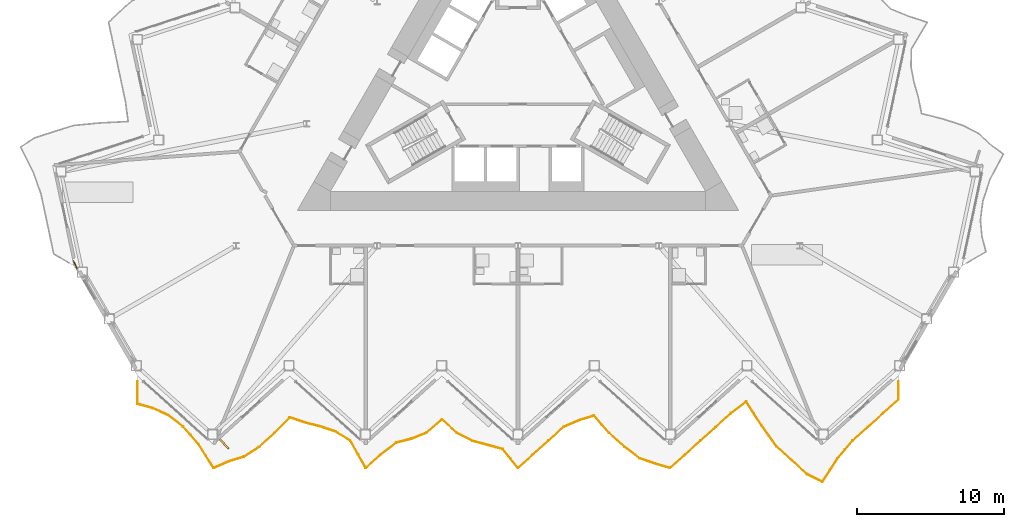
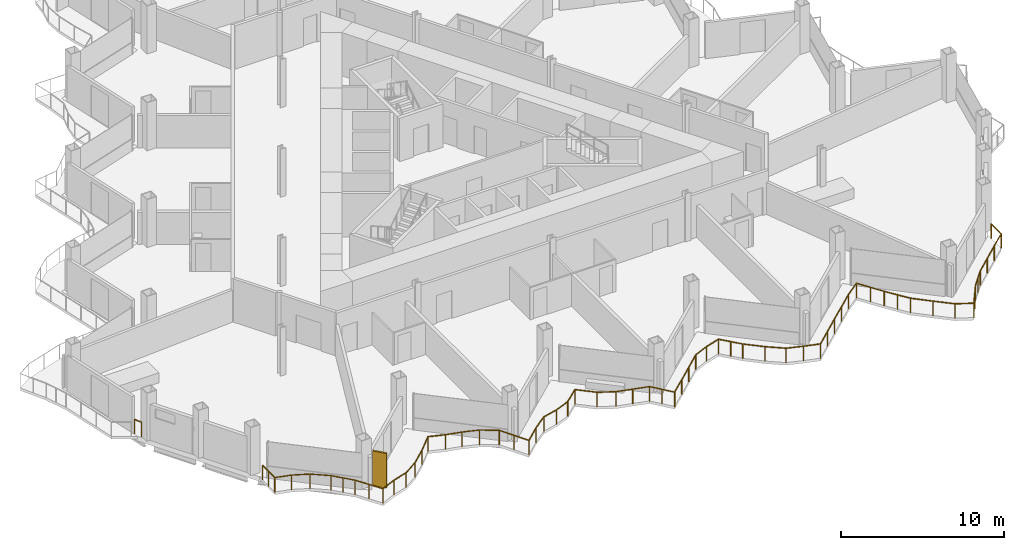
# One storey, part 19 of 24: 2 railings, 1 shading device.
"""IFC4 building model written with IfcOpenShell, lengths in metres."""

from ifc_helpers import new_model, si_unit, direction, frame, origin, origin_2d, place, context, subcontext, project, spatial, rectangle, circle, extrude, material, layer, layer_set, type_object, element, save


model = new_model("IFC4")

# Units and contexts
model_context = context("Model", 3, precision=1e-05, world=origin(), true_north=direction((0.0, 1.0)))
body_context = subcontext(model_context, "Body", "Model", "MODEL_VIEW")
ifc_project = project(units=[si_unit("LENGTHUNIT", "METRE"), si_unit("AREAUNIT", "SQUARE_METRE"), si_unit("VOLUMEUNIT", "CUBIC_METRE"), si_unit("PLANEANGLEUNIT", "RADIAN"), si_unit("MASSUNIT", "GRAM", prefix="KILO")], contexts=[model_context])

# Site, building, storey
site_placement = place(None, origin())
site = spatial("IfcSite", under=ifc_project, at=site_placement, CompositionType="ELEMENT")
building_placement = place(site_placement, origin())
building = spatial("IfcBuilding", under=site, at=building_placement, Name="Cormorant Prow Tower", CompositionType="ELEMENT")
storey_placement = place(building_placement, frame((0.0, 0.0, 238.199951171875)))
storey = spatial("IfcBuildingStorey", under=building, at=storey_placement, Name="L52", CompositionType="ELEMENT", Elevation=238.199951171875)

# Railings
ifc_material_1 = material(Name="Aluminium 6063-T6", Category="aluminium")
railing_type_1 = type_object("IfcRailingType", Name="Balcony guard 1100", PredefinedType="GUARDRAIL", material=ifc_material_1)
railing_1_placement = place(storey_placement, frame((-25.859619140625, -20.302978515625, 0.0)))
element("IfcRailing", 1, at=railing_1_placement, inside=storey, type_object=railing_type_1, Name="Balcony guard S", PredefinedType="GUARDRAIL", context=body_context, shape_type="SweptSolid", body=[
    extrude(circle(Radius=0.02392578125, at=origin_2d()), frame((0.0, 0.0, 1.076171875), z_axis=(0.0, -1.0, 0.0), x_axis=(1.0, 0.0, 0.0)), (0.0, 0.0, 1.0), 1.52001953125),
    extrude(circle(Radius=0.02392578125, at=origin_2d()), frame((0.0, -1.52001953125, 1.076171875), z_axis=(0.964910821846, -0.262577809202, 0.0), x_axis=(0.262577809202, 0.964910821846, 0.0)), (0.0, 0.0, 1.0), 1.072021484375),
    extrude(circle(Radius=0.02392578125, at=origin_2d()), frame((1.034423828125, -1.801513671875, 1.076171875), z_axis=(0.91011619922, -0.414353115009, 0.0), x_axis=(0.414353115009, 0.91011619922, 0.0)), (0.0, 0.0, 1.0), 1.136474609375),
    extrude(circle(Radius=0.02392578125, at=origin_2d()), frame((2.06884765625, -2.2724609375, 1.076171875), z_axis=(0.793096928295, -0.609095445993, 0.0), x_axis=(0.609095445993, 0.793096928295, 0.0)), (0.0, 0.0, 1.0), 1.30419921875),
    extrude(circle(Radius=0.02392578125, at=origin_2d()), frame((3.103271484375, -3.06689453125, 1.076171875), z_axis=(0.666206349445, -0.745767457026, 0.0), x_axis=(0.745767457026, 0.666206349445, 0.0)), (0.0, 0.0, 1.0), 1.552734375),
    extrude(circle(Radius=0.02392578125, at=origin_2d()), frame((4.1376953125, -4.224853515625, 1.076171875), z_axis=(0.530741873353, -0.847533517844, 0.0), x_axis=(0.847533517844, 0.530741873353, 0.0)), (0.0, 0.0, 1.0), 1.948974609375),
    extrude(circle(Radius=0.02392578125, at=origin_2d()), frame((5.172119140625, -5.876708984375, 1.076171875), z_axis=(0.913864919129, 0.406018361143, 0.0), x_axis=(-0.406018361143, 0.913864919129, 0.0)), (0.0, 0.0, 1.0), 1.131591796875),
    extrude(circle(Radius=0.02392578125, at=origin_2d()), frame((6.206298828125, -5.417236328125, 1.076171875), z_axis=(0.957208516531, 0.289399129024, 0.0), x_axis=(-0.289399129024, 0.957208516531, 0.0)), (0.0, 0.0, 1.0), 1.08056640625),
    extrude(circle(Radius=0.02392578125, at=origin_2d()), frame((7.24072265625, -5.1044921875, 1.076171875), z_axis=(0.838628974872, 0.544703077378, 0.0), x_axis=(-0.544703077378, 0.838628974872, 0.0)), (0.0, 0.0, 1.0), 1.2333984375),
    extrude(circle(Radius=0.02392578125, at=origin_2d()), frame((8.275146484375, -4.4326171875, 1.076171875), z_axis=(0.743145866469, 0.669129450219, 0.0), x_axis=(-0.669129450219, 0.743145866469, 0.0)), (0.0, 0.0, 1.0), 1.391845703125),
    extrude(circle(Radius=0.02392578125, at=origin_2d()), frame((9.3095703125, -3.501220703125, 1.076171875), z_axis=(0.69511255396, 0.718900923165, 0.0), x_axis=(-0.718900923165, 0.69511255396, 0.0)), (0.0, 0.0, 1.0), 1.488037109375),
    extrude(circle(Radius=0.02392578125, at=origin_2d()), frame((10.343994140625, -2.431396484375, 1.076171875), z_axis=(0.946129785286, -0.323787630084, 0.0), x_axis=(0.323787630084, 0.946129785286, 0.0)), (0.0, 0.0, 1.0), 1.09326171875),
    extrude(circle(Radius=0.02392578125, at=origin_2d()), frame((11.37841796875, -2.785400390625, 1.076171875), z_axis=(0.970572259799, -0.240810067292, 0.0), x_axis=(0.240810067292, 0.970572259799, 0.0)), (0.0, 0.0, 1.0), 1.0654296875),
    extrude(circle(Radius=0.02392578125, at=origin_2d()), frame((12.41259765625, -3.0419921875, 1.076171875), z_axis=(0.945650142469, -0.325185805423, 0.0), x_axis=(0.325185805423, 0.945650142469, 0.0)), (0.0, 0.0, 1.0), 1.093994140625),
    extrude(circle(Radius=0.02392578125, at=origin_2d()), frame((13.447021484375, -3.397705078125, 1.076171875), z_axis=(0.856706929106, -0.515803487408, 0.0), x_axis=(0.515803487408, 0.856706929106, 0.0)), (0.0, 0.0, 1.0), 1.20751953125),
    extrude(circle(Radius=0.02392578125, at=origin_2d()), frame((14.4814453125, -4.0205078125, 1.076171875), z_axis=(0.486793588896, -0.873517030063, 0.0), x_axis=(0.873517030063, 0.486793588896, 0.0)), (0.0, 0.0, 1.0), 2.125),
    extrude(circle(Radius=0.02392578125, at=origin_2d()), frame((15.515869140625, -5.876708984375, 1.076171875), z_axis=(0.743145866469, 0.669129450219, 0.0), x_axis=(-0.669129450219, 0.743145866469, 0.0)), (0.0, 0.0, 1.0), 1.391845703125),
    extrude(circle(Radius=0.02392578125, at=origin_2d()), frame((16.55029296875, -4.9453125, 1.076171875), z_axis=(0.792283248818, 0.610153467287, 0.0), x_axis=(-0.610153467287, 0.792283248818, 0.0)), (0.0, 0.0, 1.0), 1.3056640625),
    extrude(circle(Radius=0.02392578125, at=origin_2d()), frame((17.584716796875, -4.148681640625, 1.076171875), z_axis=(0.969111093781, 0.246624589022, 0.0), x_axis=(-0.246624589022, 0.969111093781, 0.0)), (0.0, 0.0, 1.0), 1.067138671875),
    extrude(circle(Radius=0.02392578125, at=origin_2d()), frame((18.618896484375, -3.885498046875, 1.076171875), z_axis=(0.929667322101, 0.368400149589, 0.0), x_axis=(-0.368400149589, 0.929667322101, 0.0)), (0.0, 0.0, 1.0), 1.11279296875),
    extrude(circle(Radius=0.02392578125, at=origin_2d()), frame((19.6533203125, -3.4755859375, 1.076171875), z_axis=(0.752345655923, 0.658768558762, 0.0), x_axis=(-0.658768558762, 0.752345655923, 0.0)), (0.0, 0.0, 1.0), 1.375),
    extrude(circle(Radius=0.02392578125, at=origin_2d()), frame((20.687744140625, -2.56982421875, 1.076171875), z_axis=(0.743145866469, -0.669129450219, 0.0), x_axis=(0.669129450219, 0.743145866469, 0.0)), (0.0, 0.0, 1.0), 1.391845703125),
    extrude(circle(Radius=0.02392578125, at=origin_2d()), frame((21.72216796875, -3.501220703125, 1.076171875), z_axis=(0.891589656933, -0.452844215653, 0.0), x_axis=(0.452844215653, 0.891589656933, 0.0)), (0.0, 0.0, 1.0), 1.16015625),
    extrude(circle(Radius=0.02392578125, at=origin_2d()), frame((22.756591796875, -4.026611328125, 1.076171875), z_axis=(0.965068108783, -0.26199913246, 0.0), x_axis=(0.26199913246, 0.965068108783, 0.0)), (0.0, 0.0, 1.0), 1.071533203125),
    extrude(circle(Radius=0.02392578125, at=origin_2d()), frame((23.790771484375, -4.307373046875, 1.076171875), z_axis=(0.964679705574, -0.26342563591, 0.0), x_axis=(0.26342563591, 0.964679705574, 0.0)), (0.0, 0.0, 1.0), 1.072265625),
    extrude(circle(Radius=0.02392578125, at=origin_2d()), frame((24.8251953125, -4.58984375, 1.076171875), z_axis=(0.62651464331, -0.77940964949, 0.0), x_axis=(0.77940964949, 0.62651464331, 0.0)), (0.0, 0.0, 1.0), 1.651123046875),
    extrude(circle(Radius=0.02392578125, at=origin_2d()), frame((25.859619140625, -5.876708984375, 1.076171875), z_axis=(0.743145866469, 0.669129450219, 0.0), x_axis=(-0.669129450219, 0.743145866469, 0.0)), (0.0, 0.0, 1.0), 1.391845703125),
    extrude(circle(Radius=0.02392578125, at=origin_2d()), frame((26.89404296875, -4.9453125, 1.076171875), z_axis=(0.743145866469, 0.669129450219, 0.0), x_axis=(-0.669129450219, 0.743145866469, 0.0)), (0.0, 0.0, 1.0), 1.391845703125),
    extrude(circle(Radius=0.02392578125, at=origin_2d()), frame((27.928466796875, -4.013916015625, 1.076171875), z_axis=(0.743067321059, 0.669216673712, 0.0), x_axis=(-0.669216673712, 0.743067321059, 0.0)), (0.0, 0.0, 1.0), 1.391845703125),
    extrude(circle(Radius=0.02392578125, at=origin_2d()), frame((28.962646484375, -3.08251953125, 1.076171875), z_axis=(0.916132520789, 0.400875547213, 0.0), x_axis=(-0.400875547213, 0.916132520789, 0.0)), (0.0, 0.0, 1.0), 1.129150390625),
    extrude(circle(Radius=0.02392578125, at=origin_2d()), frame((29.9970703125, -2.6298828125, 1.076171875), z_axis=(0.956769545304, 0.29084710275, 0.0), x_axis=(-0.29084710275, 0.956769545304, 0.0)), (0.0, 0.0, 1.0), 1.0810546875),
    extrude(circle(Radius=0.02392578125, at=origin_2d()), frame((31.031494140625, -2.3154296875, 1.076171875), z_axis=(0.657372501119, -0.753565786626, 0.0), x_axis=(0.753565786626, 0.657372501119, 0.0)), (0.0, 0.0, 1.0), 1.573486328125),
    extrude(circle(Radius=0.02392578125, at=origin_2d()), frame((32.06591796875, -3.501220703125, 1.076171875), z_axis=(0.743145866469, -0.669129450219, 0.0), x_axis=(0.669129450219, 0.743145866469, 0.0)), (0.0, 0.0, 1.0), 1.391845703125),
    extrude(circle(Radius=0.02392578125, at=origin_2d()), frame((33.100341796875, -4.4326171875, 1.076171875), z_axis=(0.795289474935, -0.606229866517, 0.0), x_axis=(0.606229866517, 0.795289474935, 0.0)), (0.0, 0.0, 1.0), 1.30029296875),
    extrude(circle(Radius=0.02392578125, at=origin_2d()), frame((34.134521484375, -5.220947265625, 1.076171875), z_axis=(0.94667600763, -0.322187114232, 0.0), x_axis=(0.322187114232, 0.94667600763, 0.0)), (0.0, 0.0, 1.0), 1.0927734375),
    extrude(circle(Radius=0.02392578125, at=origin_2d()), frame((35.1689453125, -5.572998046875, 1.076171875), z_axis=(0.959498816509, -0.281712657007, 0.0), x_axis=(0.281712657007, 0.959498816509, 0.0)), (0.0, 0.0, 1.0), 1.078125),
    extrude(circle(Radius=0.02392578125, at=origin_2d()), frame((36.203369140625, -5.876708984375, 1.076171875), z_axis=(0.743145866469, 0.669129450219, 0.0), x_axis=(-0.669129450219, 0.743145866469, 0.0)), (0.0, 0.0, 1.0), 1.391845703125),
    extrude(circle(Radius=0.02392578125, at=origin_2d()), frame((37.23779296875, -4.9453125, 1.076171875), z_axis=(0.743145866469, 0.669129450219, 0.0), x_axis=(-0.669129450219, 0.743145866469, 0.0)), (0.0, 0.0, 1.0), 1.391845703125),
    extrude(circle(Radius=0.02392578125, at=origin_2d()), frame((38.272216796875, -4.013916015625, 1.076171875), z_axis=(0.743145866469, 0.669129450219, 0.0), x_axis=(-0.669129450219, 0.743145866469, 0.0)), (0.0, 0.0, 1.0), 1.391845703125),
    extrude(circle(Radius=0.02392578125, at=origin_2d()), frame((39.306640625, -3.08251953125, 1.076171875), z_axis=(0.743067321059, 0.669216673712, 0.0), x_axis=(-0.669216673712, 0.743067321059, 0.0)), (0.0, 0.0, 1.0), 1.391845703125),
    extrude(circle(Radius=0.02392578125, at=origin_2d()), frame((40.3408203125, -2.151123046875, 1.076171875), z_axis=(0.794815521571, 0.606851123975, 0.0), x_axis=(-0.606851123975, 0.794815521571, 0.0)), (0.0, 0.0, 1.0), 1.301513671875),
    extrude(circle(Radius=0.02392578125, at=origin_2d()), frame((41.375244140625, -1.361328125, 1.076171875), z_axis=(0.54319811953, -0.839604551523, 0.0), x_axis=(0.839604551523, 0.54319811953, 0.0)), (0.0, 0.0, 1.0), 1.904296875),
    extrude(circle(Radius=0.02392578125, at=origin_2d()), frame((42.40966796875, -2.960205078125, 1.076171875), z_axis=(0.580576946583, -0.814205385082, 0.0), x_axis=(0.814205385082, 0.580576946583, 0.0)), (0.0, 0.0, 1.0), 1.78173828125),
    extrude(circle(Radius=0.02392578125, at=origin_2d()), frame((43.444091796875, -4.410888671875, 1.076171875), z_axis=(0.735415353267, -0.677616601169, 0.0), x_axis=(0.677616601169, 0.735415353267, 0.0)), (0.0, 0.0, 1.0), 1.406494140625),
    extrude(circle(Radius=0.02392578125, at=origin_2d()), frame((44.478515625, -5.364013671875, 1.076171875), z_axis=(0.743145866469, -0.669129450219, 0.0), x_axis=(0.669129450219, 0.743145866469, 0.0)), (0.0, 0.0, 1.0), 1.391845703125),
    extrude(circle(Radius=0.02392578125, at=origin_2d()), frame((45.512939453125, -6.29541015625, 1.076171875), z_axis=(0.893581801195, -0.448900394935, 0.0), x_axis=(0.448900394935, 0.893581801195, 0.0)), (0.0, 0.0, 1.0), 1.1572265625),
    extrude(circle(Radius=0.02392578125, at=origin_2d()), frame((46.547119140625, -6.81494140625, 1.076171875), z_axis=(0.547019762146, 0.837119692649, 0.0), x_axis=(-0.837119692649, 0.547019762146, 0.0)), (0.0, 0.0, 1.0), 1.89111328125),
    extrude(circle(Radius=0.02392578125, at=origin_2d()), frame((47.58154296875, -5.23193359375, 1.076171875), z_axis=(0.647324620939, 0.762214428574, 0.0), x_axis=(-0.762214428574, 0.647324620939, 0.0)), (0.0, 0.0, 1.0), 1.597900390625),
    extrude(circle(Radius=0.02392578125, at=origin_2d()), frame((48.615966796875, -4.013916015625, 1.076171875), z_axis=(0.743145866469, 0.669129450219, 0.0), x_axis=(-0.669129450219, 0.743145866469, 0.0)), (0.0, 0.0, 1.0), 1.391845703125),
    extrude(circle(Radius=0.02392578125, at=origin_2d()), frame((49.650390625, -3.08251953125, 1.076171875), z_axis=(0.743145866469, 0.669129450219, 0.0), x_axis=(-0.669129450219, 0.743145866469, 0.0)), (0.0, 0.0, 1.0), 1.391845703125),
    extrude(circle(Radius=0.02392578125, at=origin_2d()), frame((50.684814453125, -2.151123046875, 1.076171875), z_axis=(0.743233087124, 0.669032568867, 0.0), x_axis=(-0.669032568867, 0.743233087124, 0.0)), (0.0, 0.0, 1.0), 1.391845703125),
    extrude(circle(Radius=0.02392578125, at=origin_2d()), frame((51.71923828125, -1.219970703125, 1.076171875), z_axis=(0.0, 1.0, 0.0), x_axis=(-1.0, 0.0, 0.0)), (0.0, 0.0, 1.0), 1.219970703125),
    extrude(circle(Radius=0.02099609375, at=origin_2d()), origin(), (0.0, 0.0, 1.0), 1.052001953125),
    extrude(circle(Radius=0.02099609375, at=origin_2d()), frame((0.0, -0.760009765625, 0.0)), (0.0, 0.0, 1.0), 1.052001953125),
    extrude(circle(Radius=0.02099609375, at=origin_2d()), frame((0.0, -1.52001953125, 0.0)), (0.0, 0.0, 1.0), 1.052001953125),
    extrude(circle(Radius=0.02099609375, at=origin_2d()), frame((1.034423828125, -1.801513671875, 0.0)), (0.0, 0.0, 1.0), 1.052001953125),
    extrude(circle(Radius=0.02099609375, at=origin_2d()), frame((2.06884765625, -2.2724609375, 0.0)), (0.0, 0.0, 1.0), 1.052001953125),
    extrude(circle(Radius=0.02099609375, at=origin_2d()), frame((3.103271484375, -3.06689453125, 0.0)), (0.0, 0.0, 1.0), 1.052001953125),
    extrude(circle(Radius=0.02099609375, at=origin_2d()), frame((3.62060546875, -3.64599609375, 0.0)), (0.0, 0.0, 1.0), 1.052001953125),
    extrude(circle(Radius=0.02099609375, at=origin_2d()), frame((4.1376953125, -4.224853515625, 0.0)), (0.0, 0.0, 1.0), 1.052001953125),
    extrude(circle(Radius=0.02099609375, at=origin_2d()), frame((4.65478515625, -5.05078125, 0.0)), (0.0, 0.0, 1.0), 1.052001953125),
    extrude(circle(Radius=0.02099609375, at=origin_2d()), frame((5.172119140625, -5.876708984375, 0.0)), (0.0, 0.0, 1.0), 1.052001953125),
    extrude(circle(Radius=0.02099609375, at=origin_2d()), frame((6.206298828125, -5.417236328125, 0.0)), (0.0, 0.0, 1.0), 1.052001953125),
    extrude(circle(Radius=0.02099609375, at=origin_2d()), frame((7.24072265625, -5.1044921875, 0.0)), (0.0, 0.0, 1.0), 1.052001953125),
    extrude(circle(Radius=0.02099609375, at=origin_2d()), frame((8.275146484375, -4.4326171875, 0.0)), (0.0, 0.0, 1.0), 1.052001953125),
    extrude(circle(Radius=0.02099609375, at=origin_2d()), frame((9.3095703125, -3.501220703125, 0.0)), (0.0, 0.0, 1.0), 1.052001953125),
    extrude(circle(Radius=0.02099609375, at=origin_2d()), frame((10.343994140625, -2.431396484375, 0.0)), (0.0, 0.0, 1.0), 1.052001953125),
    extrude(circle(Radius=0.02099609375, at=origin_2d()), frame((11.37841796875, -2.785400390625, 0.0)), (0.0, 0.0, 1.0), 1.052001953125),
    extrude(circle(Radius=0.02099609375, at=origin_2d()), frame((12.41259765625, -3.0419921875, 0.0)), (0.0, 0.0, 1.0), 1.052001953125),
    extrude(circle(Radius=0.02099609375, at=origin_2d()), frame((13.447021484375, -3.397705078125, 0.0)), (0.0, 0.0, 1.0), 1.052001953125),
    extrude(circle(Radius=0.02099609375, at=origin_2d()), frame((14.4814453125, -4.0205078125, 0.0)), (0.0, 0.0, 1.0), 1.052001953125),
    extrude(circle(Radius=0.02099609375, at=origin_2d()), frame((14.99853515625, -4.94873046875, 0.0)), (0.0, 0.0, 1.0), 1.052001953125),
    extrude(circle(Radius=0.02099609375, at=origin_2d()), frame((15.515869140625, -5.876708984375, 0.0)), (0.0, 0.0, 1.0), 1.052001953125),
    extrude(circle(Radius=0.02099609375, at=origin_2d()), frame((16.55029296875, -4.9453125, 0.0)), (0.0, 0.0, 1.0), 1.052001953125),
    extrude(circle(Radius=0.02099609375, at=origin_2d()), frame((17.584716796875, -4.148681640625, 0.0)), (0.0, 0.0, 1.0), 1.052001953125),
    extrude(circle(Radius=0.02099609375, at=origin_2d()), frame((18.618896484375, -3.885498046875, 0.0)), (0.0, 0.0, 1.0), 1.052001953125),
    extrude(circle(Radius=0.02099609375, at=origin_2d()), frame((19.6533203125, -3.4755859375, 0.0)), (0.0, 0.0, 1.0), 1.052001953125),
    extrude(circle(Radius=0.02099609375, at=origin_2d()), frame((20.687744140625, -2.56982421875, 0.0)), (0.0, 0.0, 1.0), 1.052001953125),
    extrude(circle(Radius=0.02099609375, at=origin_2d()), frame((21.72216796875, -3.501220703125, 0.0)), (0.0, 0.0, 1.0), 1.052001953125),
    extrude(circle(Radius=0.02099609375, at=origin_2d()), frame((22.756591796875, -4.026611328125, 0.0)), (0.0, 0.0, 1.0), 1.052001953125),
    extrude(circle(Radius=0.02099609375, at=origin_2d()), frame((23.790771484375, -4.307373046875, 0.0)), (0.0, 0.0, 1.0), 1.052001953125),
    extrude(circle(Radius=0.02099609375, at=origin_2d()), frame((24.8251953125, -4.58984375, 0.0)), (0.0, 0.0, 1.0), 1.052001953125),
    extrude(circle(Radius=0.02099609375, at=origin_2d()), frame((25.34228515625, -5.2333984375, 0.0)), (0.0, 0.0, 1.0), 1.052001953125),
    extrude(circle(Radius=0.02099609375, at=origin_2d()), frame((25.859619140625, -5.876708984375, 0.0)), (0.0, 0.0, 1.0), 1.052001953125),
    extrude(circle(Radius=0.02099609375, at=origin_2d()), frame((26.89404296875, -4.9453125, 0.0)), (0.0, 0.0, 1.0), 1.052001953125),
    extrude(circle(Radius=0.02099609375, at=origin_2d()), frame((27.928466796875, -4.013916015625, 0.0)), (0.0, 0.0, 1.0), 1.052001953125),
    extrude(circle(Radius=0.02099609375, at=origin_2d()), frame((28.962646484375, -3.08251953125, 0.0)), (0.0, 0.0, 1.0), 1.052001953125),
    extrude(circle(Radius=0.02099609375, at=origin_2d()), frame((29.9970703125, -2.6298828125, 0.0)), (0.0, 0.0, 1.0), 1.052001953125),
    extrude(circle(Radius=0.02099609375, at=origin_2d()), frame((31.031494140625, -2.3154296875, 0.0)), (0.0, 0.0, 1.0), 1.052001953125),
    extrude(circle(Radius=0.02099609375, at=origin_2d()), frame((31.548828125, -2.908203125, 0.0)), (0.0, 0.0, 1.0), 1.052001953125),
    extrude(circle(Radius=0.02099609375, at=origin_2d()), frame((32.06591796875, -3.501220703125, 0.0)), (0.0, 0.0, 1.0), 1.052001953125),
    extrude(circle(Radius=0.02099609375, at=origin_2d()), frame((33.100341796875, -4.4326171875, 0.0)), (0.0, 0.0, 1.0), 1.052001953125),
    extrude(circle(Radius=0.02099609375, at=origin_2d()), frame((34.134521484375, -5.220947265625, 0.0)), (0.0, 0.0, 1.0), 1.052001953125),
    extrude(circle(Radius=0.02099609375, at=origin_2d()), frame((35.1689453125, -5.572998046875, 0.0)), (0.0, 0.0, 1.0), 1.052001953125),
    extrude(circle(Radius=0.02099609375, at=origin_2d()), frame((36.203369140625, -5.876708984375, 0.0)), (0.0, 0.0, 1.0), 1.052001953125),
    extrude(circle(Radius=0.02099609375, at=origin_2d()), frame((37.23779296875, -4.9453125, 0.0)), (0.0, 0.0, 1.0), 1.052001953125),
    extrude(circle(Radius=0.02099609375, at=origin_2d()), frame((38.272216796875, -4.013916015625, 0.0)), (0.0, 0.0, 1.0), 1.052001953125),
    extrude(circle(Radius=0.02099609375, at=origin_2d()), frame((39.306640625, -3.08251953125, 0.0)), (0.0, 0.0, 1.0), 1.052001953125),
    extrude(circle(Radius=0.02099609375, at=origin_2d()), frame((40.3408203125, -2.151123046875, 0.0)), (0.0, 0.0, 1.0), 1.052001953125),
    extrude(circle(Radius=0.02099609375, at=origin_2d()), frame((41.375244140625, -1.361328125, 0.0)), (0.0, 0.0, 1.0), 1.052001953125),
    extrude(circle(Radius=0.02099609375, at=origin_2d()), frame((41.892578125, -2.16064453125, 0.0)), (0.0, 0.0, 1.0), 1.052001953125),
    extrude(circle(Radius=0.02099609375, at=origin_2d()), frame((42.40966796875, -2.960205078125, 0.0)), (0.0, 0.0, 1.0), 1.052001953125),
    extrude(circle(Radius=0.02099609375, at=origin_2d()), frame((42.9267578125, -3.685546875, 0.0)), (0.0, 0.0, 1.0), 1.052001953125),
    extrude(circle(Radius=0.02099609375, at=origin_2d()), frame((43.444091796875, -4.410888671875, 0.0)), (0.0, 0.0, 1.0), 1.052001953125),
    extrude(circle(Radius=0.02099609375, at=origin_2d()), frame((44.478515625, -5.364013671875, 0.0)), (0.0, 0.0, 1.0), 1.052001953125),
    extrude(circle(Radius=0.02099609375, at=origin_2d()), frame((45.512939453125, -6.29541015625, 0.0)), (0.0, 0.0, 1.0), 1.052001953125),
    extrude(circle(Radius=0.02099609375, at=origin_2d()), frame((46.547119140625, -6.81494140625, 0.0)), (0.0, 0.0, 1.0), 1.052001953125),
    extrude(circle(Radius=0.02099609375, at=origin_2d()), frame((47.064453125, -6.0234375, 0.0)), (0.0, 0.0, 1.0), 1.052001953125),
    extrude(circle(Radius=0.02099609375, at=origin_2d()), frame((47.58154296875, -5.23193359375, 0.0)), (0.0, 0.0, 1.0), 1.052001953125),
    extrude(circle(Radius=0.02099609375, at=origin_2d()), frame((48.0986328125, -4.623046875, 0.0)), (0.0, 0.0, 1.0), 1.052001953125),
    extrude(circle(Radius=0.02099609375, at=origin_2d()), frame((48.615966796875, -4.013916015625, 0.0)), (0.0, 0.0, 1.0), 1.052001953125),
    extrude(circle(Radius=0.02099609375, at=origin_2d()), frame((49.650390625, -3.08251953125, 0.0)), (0.0, 0.0, 1.0), 1.052001953125),
    extrude(circle(Radius=0.02099609375, at=origin_2d()), frame((50.684814453125, -2.151123046875, 0.0)), (0.0, 0.0, 1.0), 1.052001953125),
    extrude(circle(Radius=0.02099609375, at=origin_2d()), frame((51.71923828125, -1.219970703125, 0.0)), (0.0, 0.0, 1.0), 1.052001953125),
    extrude(circle(Radius=0.02099609375, at=origin_2d()), frame((51.71923828125, 0.0, 0.0)), (0.0, 0.0, 1.0), 1.052001953125),
])
ifc_material_2 = material(Name="Stainless steel", Category="steel")
railing_type_2 = type_object("IfcRailingType", Name="Facade corner guard 1100", PredefinedType="GUARDRAIL", material=ifc_material_2)
railing_2_placement = place(storey_placement, frame((-29.981689453125, -12.599609375, 0.0)))
element("IfcRailing", 2, at=railing_2_placement, inside=storey, type_object=railing_type_2, Name="Facade corner guard L52 1", PredefinedType="GUARDRAIL", context=body_context, shape_type="SweptSolid", body=[
    extrude(circle(Radius=0.02392578125, at=origin_2d()), frame((0.0, 0.0, 1.076171875), z_axis=(-0.413009334516, 0.910726791965, 0.0), x_axis=(-0.910726791965, -0.413009334516, 0.0)), (0.0, 0.0, 1.0), 0.533203125),
    extrude(circle(Radius=0.02099609375, at=origin_2d()), origin(), (0.0, 0.0, 1.0), 1.052001953125),
    extrude(circle(Radius=0.02099609375, at=origin_2d()), frame((-0.22021484375, 0.485595703125, 0.0)), (0.0, 0.0, 1.0), 1.052001953125),
])

# Shading device
ifc_material_3 = material(Name="Terracotta", Category="masonry")
ifc_layer = layer(ifc_material_3, 0.1201171875)
ifc_layer_set = layer_set([ifc_layer], Name="Terracotta")
shading_device_type = type_object("IfcShadingDeviceType", Name="Terracotta baguette fin 120x900x2600", PredefinedType="USERDEFINED", material=ifc_layer_set)
shading_device_placement = place(storey_placement, frame((-19.969482421875, -24.53857421875, 0.0), z_axis=(0.0, 0.0, 1.0), x_axis=(0.74314485959, 0.669130568473, 0.0)))
element("IfcShadingDevice", 3, at=shading_device_placement, inside=storey, type_object=shading_device_type, Name="Baguette fin S01", ObjectType="BAGUETTE", PredefinedType="USERDEFINED", context=body_context, shape_type="SweptSolid", body=[
    extrude(rectangle(XDim=0.1201171875, YDim=0.89990234375, at=origin_2d()), origin(), (0.0, 0.0, 1.0), 2.60009765625),
])

save(model, "model.ifc")
